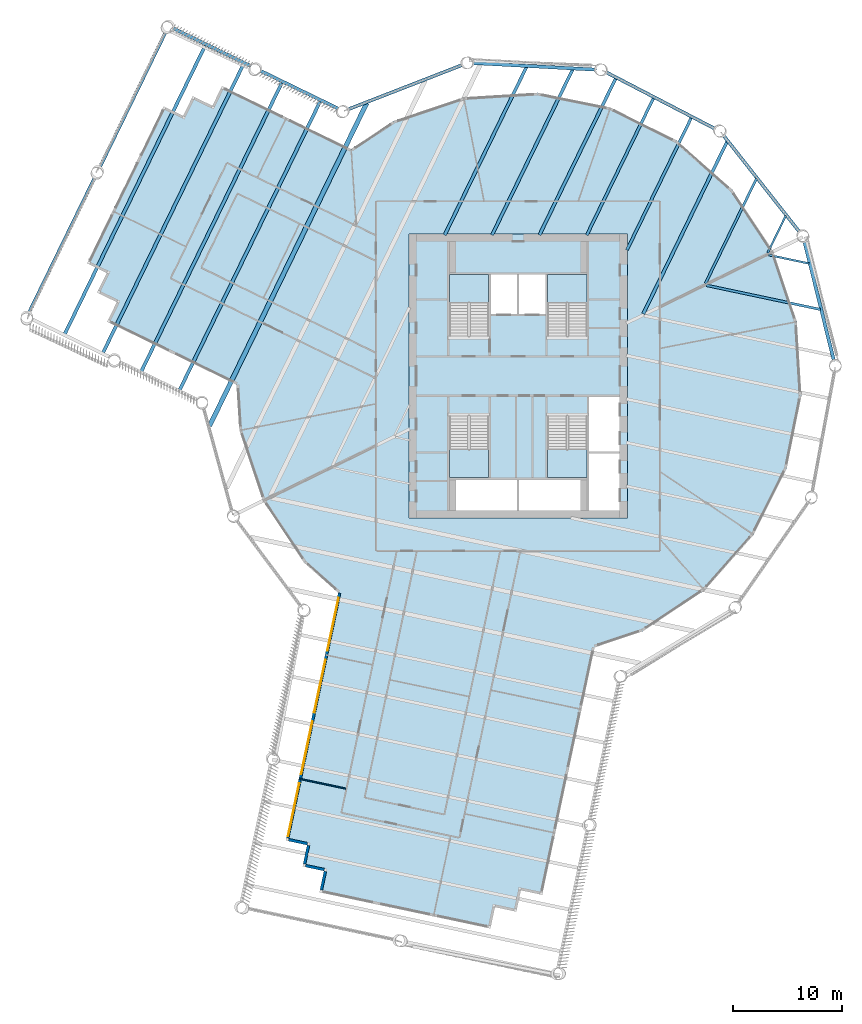
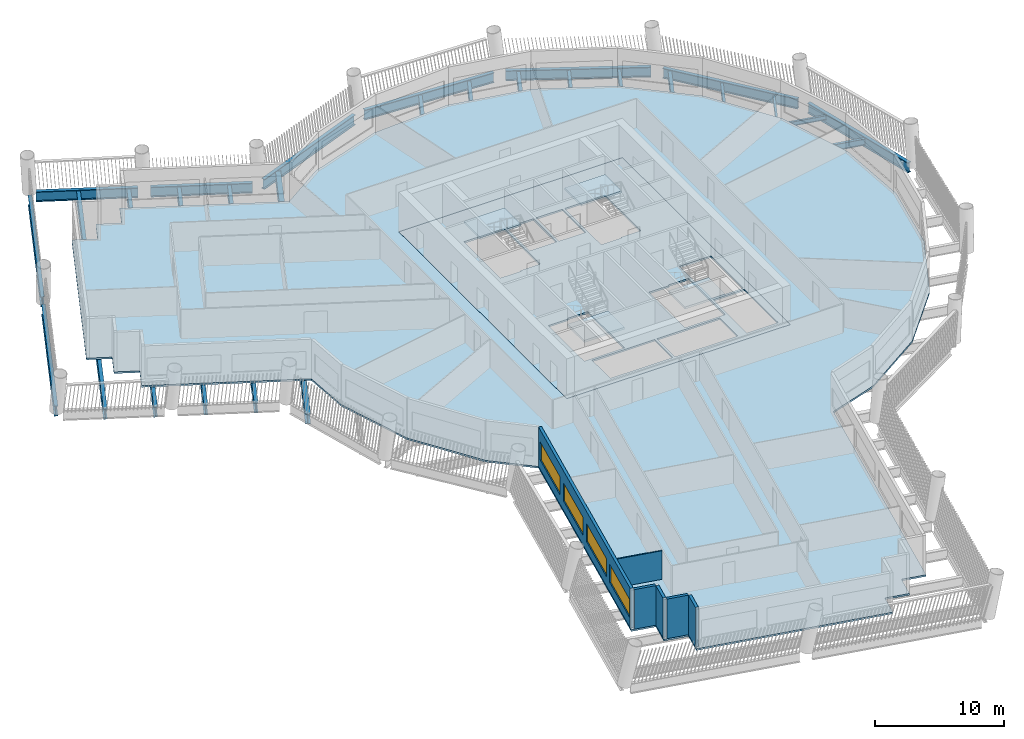
# One storey, part 2 of 15: 24 beams, 6 slabs, 6 walls, 4 windows, 4 openings, 4 elements without a shape of their own.
"""IFC4 building model written with IfcOpenShell, lengths in metres."""

import ifcopenshell
import ifcopenshell.guid

model = None  # the IFC model being written
_history = None  # IfcOwnerHistory: only IFC2X3 demands one
_inside = {}  # id of a spatial element -> (the spatial element, [elements in it])
_under = {}  # id of a project, library or spatial element -> (it, [spatial elements below it])
_declared = {}  # id of a project -> (the project, [libraries it declares])
_typed = {}  # id of a type object -> (the type object, [elements of that type])
_made_of = {}  # id of a material, layer set ... -> (it, [elements and type objects made of it])


def new_model(schema):
    """Start an empty IFC model of exactly this schema.

    Asked for "IFC4X3", IfcOpenShell would pick the latest addendum, in which some entities
    have other attributes; the version numbers below select the first issue.
    IFC2X3 requires an IfcOwnerHistory on every rooted entity: one is made here for all.
    """
    global model, _history
    if schema == "IFC4X3":
        model = ifcopenshell.file(schema_version=(4, 3, 0, 0))
    else:
        model = ifcopenshell.file(schema=schema)
    _inside.clear()
    _under.clear()
    _declared.clear()
    _typed.clear()
    _made_of.clear()
    _history = None
    if model.schema == "IFC2X3":
        org = make("IfcOrganization", Name="unknown")
        user = make(
            "IfcPersonAndOrganization",
            ThePerson=make("IfcPerson", FamilyName="unknown"),
            TheOrganization=org,
        )
        app = make(
            "IfcApplication",
            ApplicationDeveloper=org,
            Version="unknown",
            ApplicationFullName="unknown",
            ApplicationIdentifier="unknown",
        )
        _history = make(
            "IfcOwnerHistory",
            OwningUser=user,
            OwningApplication=app,
            ChangeAction="ADDED",
            CreationDate=0,
        )
    return model


def make(cls, **values):
    """One entity of the class cls with the attributes given. An attribute that is None is left unset."""
    return model.create_entity(
        cls, **{name: value for name, value in values.items() if value is not None}
    )


def rooted(cls, **values):
    """An entity with a GlobalId (a new one), such as an element, a storey or a relation."""
    return make(cls, GlobalId=ifcopenshell.guid.new(), OwnerHistory=_history, **values)


def si_unit(unit_type, name, prefix=None):
    """IfcSIUnit, for example si_unit("LENGTHUNIT", "METRE", prefix="MILLI")."""
    return make("IfcSIUnit", UnitType=unit_type, Prefix=prefix, Name=name)


def assignment(units):
    """IfcUnitAssignment: the units of a project."""
    return None if units is None else make("IfcUnitAssignment", Units=units)


def point(xyz):
    """IfcCartesianPoint."""
    return None if xyz is None else make("IfcCartesianPoint", Coordinates=xyz)


def direction(xyz):
    """IfcDirection."""
    return None if xyz is None else make("IfcDirection", DirectionRatios=xyz)


def frame(location, z_axis=None, x_axis=None):
    """IfcAxis2Placement3D, a coordinate frame: its origin and axes. An axis left out is left unset."""
    return make(
        "IfcAxis2Placement3D",
        Location=point(location),
        Axis=direction(z_axis),
        RefDirection=direction(x_axis),
    )


def frame_2d(location, x_axis=None):
    """IfcAxis2Placement2D, a coordinate frame in the plane: its origin and x axis."""
    return make(
        "IfcAxis2Placement2D", Location=point(location), RefDirection=direction(x_axis)
    )


def origin():
    """The frame at (0, 0, 0) with its axes left unset."""
    return frame((0.0, 0.0, 0.0))


def origin_2d():
    """The frame at (0, 0) in the plane with its x axis left unset."""
    return frame_2d((0.0, 0.0))


def place(relative_to, where):
    """IfcLocalPlacement: puts the frame where relative to a parent placement (None: the world)."""
    return make(
        "IfcLocalPlacement", PlacementRelTo=relative_to, RelativePlacement=where
    )


def context(
    kind, dimensions, precision=None, world=None, true_north=None, identifier=None
):
    """IfcGeometricRepresentationContext, for example the 3D "Model" context."""
    return make(
        "IfcGeometricRepresentationContext",
        ContextIdentifier=identifier,
        ContextType=kind,
        CoordinateSpaceDimension=dimensions,
        Precision=precision,
        WorldCoordinateSystem=world,
        TrueNorth=true_north,
    )


def subcontext(parent, identifier, kind, view, scale=None):
    """IfcGeometricRepresentationSubContext, for example "Body" below "Model"."""
    return make(
        "IfcGeometricRepresentationSubContext",
        ContextIdentifier=identifier,
        ContextType=kind,
        ParentContext=parent,
        TargetScale=scale,
        TargetView=view,
    )


def project(units=None, contexts=None):
    """IfcProject with its units and contexts."""
    return rooted(
        "IfcProject",
        Name="project",
        RepresentationContexts=contexts,
        UnitsInContext=assignment(units),
    )


def spatial(cls, under=None, at=None, **own):
    """A site, building, storey or space (cls), placed at a placement, below another one or the project."""
    s = rooted(cls, ObjectPlacement=at, **own)
    if under is not None:
        _under.setdefault(under.id(), (under, []))[1].append(s)
    return s


def polyline(points):
    """IfcPolyline through the points."""
    return make("IfcPolyline", Points=[point(p) for p in points])


def profile(cls, at=None, kind="AREA", **sizes):
    """A parametric profile (cls). Its sizes go by their IFC names, for example OverallWidth=200.0."""
    return make(cls, ProfileType=kind, Position=at, **sizes)


def rectangle(**sizes):
    """IfcRectangleProfileDef."""
    return profile("IfcRectangleProfileDef", **sizes)


def i_section(**sizes):
    """IfcIShapeProfileDef."""
    return profile("IfcIShapeProfileDef", **sizes)


def outline(outer, holes=None, kind="AREA"):
    """IfcArbitraryClosedProfileDef: a profile drawn as a closed curve; with holes, ...WithVoids."""
    if holes is None:
        return make("IfcArbitraryClosedProfileDef", ProfileType=kind, OuterCurve=outer)
    return make(
        "IfcArbitraryProfileDefWithVoids",
        ProfileType=kind,
        OuterCurve=outer,
        InnerCurves=holes,
    )


def extrude(swept, where, along, depth):
    """IfcExtrudedAreaSolid: the profile swept, set in the frame where, extruded along a direction by depth."""
    return make(
        "IfcExtrudedAreaSolid",
        SweptArea=swept,
        Position=where,
        ExtrudedDirection=direction(along),
        Depth=depth,
    )


def shape(context_of_items, identifier, shape_type, items):
    """IfcShapeRepresentation: the items that make up one representation, for example the "Body"."""
    return make(
        "IfcShapeRepresentation",
        ContextOfItems=context_of_items,
        RepresentationIdentifier=identifier,
        RepresentationType=shape_type,
        Items=items,
    )


def material(Name=None, Category=None):
    """IfcMaterial."""
    return make("IfcMaterial", Name=Name, Category=Category)


def layer(
    of_material, thickness, ventilated=None, Name=None, Category=None, Priority=None
):
    """IfcMaterialLayer: one layer of a wall or slab, of a material (None: an air gap)."""
    return make(
        "IfcMaterialLayer",
        Material=of_material,
        LayerThickness=thickness,
        IsVentilated=ventilated,
        Name=Name,
        Category=Category,
        Priority=Priority,
    )


def layer_set(layers, Name=None):
    """IfcMaterialLayerSet."""
    return make("IfcMaterialLayerSet", MaterialLayers=layers, LayerSetName=Name)


def material_profile(
    of_material, cross_section, Name=None, Category=None, Priority=None
):
    """IfcMaterialProfile: a cross section and its material."""
    return make(
        "IfcMaterialProfile",
        Name=Name,
        Material=of_material,
        Profile=cross_section,
        Priority=Priority,
        Category=Category,
    )


def profile_set(profiles, Name=None, composite=None):
    """IfcMaterialProfileSet."""
    return make(
        "IfcMaterialProfileSet",
        Name=Name,
        MaterialProfiles=profiles,
        CompositeProfile=composite,
    )


def made_of(thing, what):
    """Note that an element or type object is made of a material, layer set ...; save() writes the relation."""
    if what is not None:
        _made_of.setdefault(what.id(), (what, []))[1].append(thing)
    return thing


def type_object(cls, material=None, **own):
    """A type object (cls), such as IfcWallType, which elements share."""
    return made_of(rooted(cls, **own), material)


def element(
    cls,
    number,
    at=None,
    inside=None,
    cuts=None,
    type_object=None,
    material=None,
    context=None,
    identifier="Body",
    shape_type=None,
    held_by="IfcProductDefinitionShape",
    body=None,
    shapes=None,
    **own,
):
    """One element of the class cls, such as IfcWall. Its Tag is "e" and its number.

    at: its placement. inside: the storey or other place that contains it. cuts: it is an
    opening in that element (IfcRelVoidsElement). A single representation is given by context,
    identifier, shape_type and body (its items); several are given by shapes. held_by: the class
    of the entity that holds the representations. save() writes the other relations.
    """
    e = rooted(cls, Tag="e%d" % number, ObjectPlacement=at, **own)
    if body is not None:
        shapes = [shape(context, identifier, shape_type, body)]
    if shapes is not None:
        e.Representation = make(held_by, Representations=shapes)
    if inside is not None:
        _inside.setdefault(inside.id(), (inside, []))[1].append(e)
    if cuts is not None:
        rooted(
            "IfcRelVoidsElement", RelatingBuildingElement=cuts, RelatedOpeningElement=e
        )
    if type_object is not None:
        _typed.setdefault(type_object.id(), (type_object, []))[1].append(e)
    return made_of(e, material)


def fill(opening, filler):
    """IfcRelFillsElement: the door or window that sits in an opening."""
    return rooted(
        "IfcRelFillsElement",
        RelatingOpeningElement=opening,
        RelatedBuildingElement=filler,
    )


def aggregate(whole, parts):
    """IfcRelAggregates: a whole, such as a stair, and the parts it consists of."""
    return rooted("IfcRelAggregates", RelatingObject=whole, RelatedObjects=parts)


def save(model, path):
    """Write the relations noted so far, then the file.

    IfcRelAggregates (storeys below a building ...), IfcRelContainedInSpatialStructure (elements
    in a storey), IfcRelDefinesByType, IfcRelAssociatesMaterial and IfcRelDeclares: one each for
    every whole, place, type object, material and project.
    """
    for whole, parts in _under.values():
        aggregate(whole, parts)
    for where, things in _inside.values():
        rooted(
            "IfcRelContainedInSpatialStructure",
            RelatedElements=things,
            RelatingStructure=where,
        )
    for kind, things in _typed.values():
        rooted("IfcRelDefinesByType", RelatedObjects=things, RelatingType=kind)
    for what, things in _made_of.values():
        rooted("IfcRelAssociatesMaterial", RelatedObjects=things, RelatingMaterial=what)
    for by, libraries in _declared.values():
        rooted("IfcRelDeclares", RelatingContext=by, RelatedDefinitions=libraries)
    model.write(path)


model = new_model("IFC4")

# Units and contexts
model_context = context("Model", 3, precision=1e-05, world=origin(), true_north=direction((0.0, 1.0)))
body_context = subcontext(model_context, "Body", "Model", "MODEL_VIEW")
ifc_project = project(units=[si_unit("LENGTHUNIT", "METRE"), si_unit("AREAUNIT", "SQUARE_METRE"), si_unit("VOLUMEUNIT", "CUBIC_METRE"), si_unit("PLANEANGLEUNIT", "RADIAN"), si_unit("MASSUNIT", "GRAM", prefix="KILO")], contexts=[model_context])

# Site, building, storey
site_placement = place(None, origin())
site = spatial("IfcSite", under=ifc_project, at=site_placement, CompositionType="ELEMENT")
building_placement = place(site_placement, origin())
building = spatial("IfcBuilding", under=site, at=building_placement, Name="Tarsis Ring Headquarters", CompositionType="ELEMENT")
storey_placement = place(building_placement, frame((0.0, 0.0, 174.89990234375)))
storey = spatial("IfcBuildingStorey", under=building, at=storey_placement, Name="L40", CompositionType="ELEMENT", Elevation=174.89990234375)

# Beams
ifc_material_1 = material(Name="Structural steel S355", Category="steel")
ifc_material_profile_1 = material_profile(ifc_material_1, i_section(OverallWidth=0.177734375, OverallDepth=0.406494140625, WebThickness=0.0078125, FlangeThickness=0.0126953125, at=origin_2d()), Name="W16x40")
ifc_profile_set_1 = profile_set([ifc_material_profile_1], Name="Structural steel S355")
beam_type_1 = type_object("IfcBeamType", Name="FB Floor beam W16x40", PredefinedType="JOIST", material=ifc_profile_set_1)
for number, where, z_axis, x_axis, name in (
    (1, (22.914794921875, 11.09228515625, -0.363037109375), (0.978291706178, -0.207232568924, 0.0), (0.207232568924, 0.978291706178, 0.0), "Floor beam FB1"),
    (2, (24.49853515625, 14.68115234375, -0.363037109375), (-0.43776997499, -0.89908700858, 0.0), (0.89908700858, -0.43776997499, 0.0), "Floor beam FB1"),
):
    element("IfcBeam", number, at=place(storey_placement, frame(where, z_axis=z_axis, x_axis=x_axis)), inside=storey, type_object=beam_type_1, Name=name, PredefinedType="JOIST", context=body_context, shape_type="SweptSolid", body=[
        extrude(i_section(OverallWidth=0.177734375, OverallDepth=0.406494140625, WebThickness=0.0078125, FlangeThickness=0.0126953125, at=origin_2d()), origin(), (0.0, 0.0, 1.0), 3.80517578125),
    ])
ifc_material_profile_2 = material_profile(ifc_material_1, i_section(OverallWidth=0.228271484375, OverallDepth=0.607177734375, WebThickness=0.01123046875, FlangeThickness=0.017333984375, at=origin_2d()), Name="W24x76")
ifc_profile_set_2 = profile_set([ifc_material_profile_2], Name="Structural steel S355")
beam_type_2 = type_object("IfcBeamType", Name="FB Floor beam W24x76", PredefinedType="JOIST", material=ifc_profile_set_2)
for number, where, z_axis, x_axis, name in (
    (3, (17.22314453125, 8.311279296875, -0.46337890625), (0.978294239185, -0.207220610888, 0.0), (0.207220610888, 0.978294239185, 0.0), "Floor beam FB4"),
    (4, (21.818359375, 18.085693359375, -0.46337890625), (-0.437747339261, -0.899098029678, 0.0), (0.899098029678, -0.437747339261, 0.0), "Floor beam FB4"),
):
    element("IfcBeam", number, at=place(storey_placement, frame(where, z_axis=z_axis, x_axis=x_axis)), inside=storey, type_object=beam_type_2, Name=name, PredefinedType="JOIST", context=body_context, shape_type="SweptSolid", body=[
        extrude(i_section(OverallWidth=0.228271484375, OverallDepth=0.607177734375, WebThickness=0.01123046875, FlangeThickness=0.017333984375, at=origin_2d()), origin(), (0.0, 0.0, 1.0), 10.684814453125),
    ])
ifc_material_profile_3 = material_profile(ifc_material_1, i_section(OverallWidth=0.2666015625, OverallDepth=0.7568359375, WebThickness=0.013916015625, FlangeThickness=0.019287109375, at=origin_2d()), Name="W30x108")
ifc_profile_set_3 = profile_set([ifc_material_profile_3], Name="Structural steel S355")
beam_type_3 = type_object("IfcBeamType", Name="FB Floor beam W30x108", PredefinedType="JOIST", material=ifc_profile_set_3)
beam_1_placement = place(storey_placement, frame((15.872314453125, 23.69140625, -0.538330078125), z_axis=(-0.437744425984, -0.89909944807, 0.0), x_axis=(0.89909944807, -0.437744425984, 0.0)))
element("IfcBeam", 5, at=beam_1_placement, inside=storey, type_object=beam_type_3, Name="Floor beam FB6", PredefinedType="JOIST", context=body_context, shape_type="SweptSolid", body=[
    extrude(i_section(OverallWidth=0.2666015625, OverallDepth=0.7568359375, WebThickness=0.013916015625, FlangeThickness=0.019287109375, at=origin_2d()), origin(), (0.0, 0.0, 1.0), 13.514892578125),
])
beam_2_placement = place(storey_placement, frame((12.41015625, 25.489501953125, -0.538330078125), z_axis=(-0.437758958684, -0.899092372391, 0.0), x_axis=(0.899092372391, -0.437758958684, 0.0)))
element("IfcBeam", 6, at=beam_2_placement, inside=storey, type_object=beam_type_3, Name="Floor beam FB6", PredefinedType="JOIST", context=body_context, shape_type="SweptSolid", body=[
    extrude(i_section(OverallWidth=0.2666015625, OverallDepth=0.7568359375, WebThickness=0.013916015625, FlangeThickness=0.019287109375, at=origin_2d()), origin(), (0.0, 0.0, 1.0), 13.9912109375),
])
ifc_material_profile_4 = material_profile(ifc_material_1, i_section(OverallWidth=0.2919921875, OverallDepth=0.835693359375, WebThickness=0.013916015625, FlangeThickness=0.018798828125, at=origin_2d()), Name="W33x118")
ifc_profile_set_4 = profile_set([ifc_material_profile_4], Name="Structural steel S355")
beam_type_4 = type_object("IfcBeamType", Name="FB Floor beam W33x118", PredefinedType="JOIST", material=ifc_profile_set_4)
beam_3_placement = place(storey_placement, frame((19.13818359375, 21.490234375, -0.57763671875), z_axis=(-0.437736669671, -0.899103224344, 0.0), x_axis=(0.899103224344, -0.437736669671, 0.0)))
element("IfcBeam", 7, at=beam_3_placement, inside=storey, type_object=beam_type_4, Name="Floor beam FB7", PredefinedType="JOIST", context=body_context, shape_type="SweptSolid", body=[
    extrude(i_section(OverallWidth=0.2919921875, OverallDepth=0.835693359375, WebThickness=0.013916015625, FlangeThickness=0.018798828125, at=origin_2d()), origin(), (0.0, 0.0, 1.0), 17.564208984375),
])
beam_4_placement = place(storey_placement, frame((8.947998046875, 27.287841796875, -0.57763671875), z_axis=(-0.437753643181, -0.899094960436, 0.0), x_axis=(0.899094960436, -0.437753643181, 0.0)))
element("IfcBeam", 8, at=beam_4_placement, inside=storey, type_object=beam_type_4, Name="Floor beam FB7", PredefinedType="JOIST", context=body_context, shape_type="SweptSolid", body=[
    extrude(i_section(OverallWidth=0.2919921875, OverallDepth=0.835693359375, WebThickness=0.013916015625, FlangeThickness=0.018798828125, at=origin_2d()), origin(), (0.0, 0.0, 1.0), 15.9912109375),
])
beam_5_placement = place(storey_placement, frame((5.007080078125, 28.102783203125, -0.57763671875), z_axis=(-0.437751144494, -0.899096176999, 0.0), x_axis=(0.899096176999, -0.437751144494, 0.0)))
element("IfcBeam", 9, at=beam_5_placement, inside=storey, type_object=beam_type_4, Name="Floor beam FB7", PredefinedType="JOIST", context=body_context, shape_type="SweptSolid", body=[
    extrude(i_section(OverallWidth=0.2919921875, OverallDepth=0.835693359375, WebThickness=0.013916015625, FlangeThickness=0.018798828125, at=origin_2d()), origin(), (0.0, 0.0, 1.0), 16.897705078125),
])
beam_6_placement = place(storey_placement, frame((0.781005859375, 28.33203125, -0.57763671875), z_axis=(-0.437749079382, -0.899097182456, 0.0), x_axis=(0.899097182456, -0.437749079382, 0.0)))
element("IfcBeam", 10, at=beam_6_placement, inside=storey, type_object=beam_type_4, Name="Floor beam FB7", PredefinedType="JOIST", context=body_context, shape_type="SweptSolid", body=[
    extrude(i_section(OverallWidth=0.2919921875, OverallDepth=0.835693359375, WebThickness=0.013916015625, FlangeThickness=0.018798828125, at=origin_2d()), origin(), (0.0, 0.0, 1.0), 17.152587890625),
])
ifc_material_profile_5 = material_profile(ifc_material_1, i_section(OverallWidth=0.309814453125, OverallDepth=0.949951171875, WebThickness=0.0244140625, FlangeThickness=0.0439453125, at=origin_2d()), Name="W36x256")
ifc_profile_set_5 = profile_set([ifc_material_profile_5], Name="Structural steel S355")
beam_type_5 = type_object("IfcBeamType", Name="FB Floor beam W36x256", PredefinedType="JOIST", material=ifc_profile_set_5)
beam_7_placement = place(storey_placement, frame((-18.0908203125, 25.207763671875, -0.635009765625), z_axis=(-0.437744327557, -0.899099495991, 0.0), x_axis=(0.899099495991, -0.437744327557, 0.0)))
element("IfcBeam", 11, at=beam_7_placement, inside=storey, type_object=beam_type_5, Name="Floor beam FB11", PredefinedType="JOIST", context=body_context, shape_type="SweptSolid", body=[
    extrude(i_section(OverallWidth=0.309814453125, OverallDepth=0.949951171875, WebThickness=0.0244140625, FlangeThickness=0.0439453125, at=origin_2d()), origin(), (0.0, 0.0, 1.0), 29.490234375),
])
beam_8_placement = place(storey_placement, frame((-21.597412109375, 26.914794921875, -0.635009765625), z_axis=(-0.437740893478, -0.899101167932, 0.0), x_axis=(0.899101167932, -0.437740893478, 0.0)))
element("IfcBeam", 12, at=beam_8_placement, inside=storey, type_object=beam_type_5, Name="Floor beam FB11", PredefinedType="JOIST", context=body_context, shape_type="SweptSolid", body=[
    extrude(i_section(OverallWidth=0.309814453125, OverallDepth=0.949951171875, WebThickness=0.0244140625, FlangeThickness=0.0439453125, at=origin_2d()), origin(), (0.0, 0.0, 1.0), 29.489990234375),
])
for number, where, z_axis, x_axis, name in (
    (13, (-25.103759765625, 28.6220703125, -0.635009765625), (-0.437744327557, -0.899099495991, 0.0), (0.899099495991, -0.437744327557, 0.0), "Floor beam FB11"),
    (14, (-28.6103515625, 30.329345703125, -0.635009765625), (-0.437744327557, -0.899099495991, 0.0), (0.899099495991, -0.437744327557, 0.0), "Floor beam FB11"),
):
    element("IfcBeam", number, at=place(storey_placement, frame(where, z_axis=z_axis, x_axis=x_axis)), inside=storey, type_object=beam_type_5, Name=name, PredefinedType="JOIST", context=body_context, shape_type="SweptSolid", body=[
        extrude(i_section(OverallWidth=0.309814453125, OverallDepth=0.949951171875, WebThickness=0.0244140625, FlangeThickness=0.0439453125, at=origin_2d()), origin(), (0.0, 0.0, 1.0), 29.490234375),
    ])
ifc_material_profile_6 = material_profile(ifc_material_1, i_section(OverallWidth=0.42431640625, OverallDepth=0.947509765625, WebThickness=0.02392578125, FlangeThickness=0.042724609375, at=origin_2d()), Name="W36x302")
ifc_profile_set_6 = profile_set([ifc_material_profile_6], Name="Structural steel S355")
beam_type_6 = type_object("IfcBeamType", Name="FB Floor beam W36x302", PredefinedType="JOIST", material=ifc_profile_set_6)
beam_9_placement = place(storey_placement, frame((-13.8623046875, 24.98388671875, -0.633544921875), z_axis=(-0.437739495524, -0.899101848546, 0.0), x_axis=(0.899101848546, -0.437739495524, 0.0)))
element("IfcBeam", 15, at=beam_9_placement, inside=storey, type_object=beam_type_6, Name="Floor beam FB12", PredefinedType="JOIST", context=body_context, shape_type="SweptSolid", body=[
    extrude(i_section(OverallWidth=0.42431640625, OverallDepth=0.947509765625, WebThickness=0.02392578125, FlangeThickness=0.042724609375, at=origin_2d()), origin(), (0.0, 0.0, 1.0), 32.87548828125),
])
beam_type_7 = type_object("IfcBeamType", Name="XG Ring girder W36x256", PredefinedType="BEAM", material=ifc_profile_set_5)
for number, where, z_axis, x_axis, name in (
    (16, (28.915283203125, 1.348876953125, -0.474853515625), (-0.239714177813, 0.970843505904, 0.0), (-0.970843505904, -0.239714177813, 0.0), "Ring girder XG2"),
    (17, (25.78857421875, 13.1474609375, -0.474853515625), (-0.618555898121, 0.785740797528, 0.0), (-0.785740797528, -0.618555898121, 0.0), "Ring girder XG2"),
    (18, (18.07666015625, 22.6083984375, -0.474853515625), (-0.887442103043, 0.460919205226, 0.0), (-0.460919205226, -0.887442103043, 0.0), "Ring girder XG2"),
    (19, (7.150634765625, 28.049560546875, -0.474853515625), (-0.998533561546, 0.054136184436, 0.0), (-0.054136184436, -0.998533561546, 0.0), "Ring girder XG2"),
):
    element("IfcBeam", number, at=place(storey_placement, frame(where, z_axis=z_axis, x_axis=x_axis)), inside=storey, type_object=beam_type_7, Name=name, PredefinedType="BEAM", context=body_context, shape_type="SweptSolid", body=[
        extrude(i_section(OverallWidth=0.309814453125, OverallDepth=0.949951171875, WebThickness=0.0244140625, FlangeThickness=0.0439453125, at=origin_2d()), origin(), (0.0, 0.0, 1.0), 11.242919921875),
    ])
beam_10_placement = place(storey_placement, frame((-5.046630859375, 28.50341796875, -0.474853515625), z_axis=(-0.932075560752, -0.362263921816, 0.0), x_axis=(0.362263921816, -0.932075560752, 0.0)))
element("IfcBeam", 20, at=beam_10_placement, inside=storey, type_object=beam_type_7, Name="Ring girder XG2", PredefinedType="BEAM", context=body_context, shape_type="SweptSolid", body=[
    extrude(i_section(OverallWidth=0.309814453125, OverallDepth=0.949951171875, WebThickness=0.0244140625, FlangeThickness=0.0439453125, at=origin_2d()), origin(), (0.0, 0.0, 1.0), 11.2431640625),
])
beam_11_placement = place(storey_placement, frame((-16.447021484375, 24.468505859375, -0.474853515625), z_axis=(-0.899101585417, 0.437740035981, 0.0), x_axis=(-0.437740035981, -0.899101585417, 0.0)))
element("IfcBeam", 21, at=beam_11_placement, inside=storey, type_object=beam_type_7, Name="Ring girder XG2", PredefinedType="BEAM", context=body_context, shape_type="SweptSolid", body=[
    extrude(i_section(OverallWidth=0.309814453125, OverallDepth=0.949951171875, WebThickness=0.0244140625, FlangeThickness=0.0439453125, at=origin_2d()), origin(), (0.0, 0.0, 1.0), 7.896240234375),
])
beam_12_placement = place(storey_placement, frame((-24.450927734375, 28.365234375, -0.474853515625), z_axis=(-0.899095341452, 0.437752860618, 0.0), x_axis=(-0.437752860618, -0.899095341452, 0.0)))
element("IfcBeam", 22, at=beam_12_placement, inside=storey, type_object=beam_type_7, Name="Ring girder XG2", PredefinedType="BEAM", context=body_context, shape_type="SweptSolid", body=[
    extrude(i_section(OverallWidth=0.309814453125, OverallDepth=0.949951171875, WebThickness=0.0244140625, FlangeThickness=0.0439453125, at=origin_2d()), origin(), (0.0, 0.0, 1.0), 7.896728515625),
])
for number, where, z_axis, x_axis, name in (
    (23, (-32.222900390625, 31.58984375, -0.474853515625), (-0.437744582077, -0.899099372073, 0.0), (0.899099372073, -0.437744582077, 0.0), "Ring girder XG2"),
    (24, (-38.70166015625, 18.283203125, -0.474853515625), (-0.437744582077, -0.899099372073, 0.0), (0.899099372073, -0.437744582077, 0.0), "Ring girder XG2"),
):
    element("IfcBeam", number, at=place(storey_placement, frame(where, z_axis=z_axis, x_axis=x_axis)), inside=storey, type_object=beam_type_7, Name=name, PredefinedType="BEAM", context=body_context, shape_type="SweptSolid", body=[
        extrude(i_section(OverallWidth=0.309814453125, OverallDepth=0.949951171875, WebThickness=0.0244140625, FlangeThickness=0.0439453125, at=origin_2d()), origin(), (0.0, 0.0, 1.0), 13.794189453125),
    ])

# Slab
ifc_material_2 = material(Name="Concrete C40/50", Category="concrete")
ifc_layer_1 = layer(ifc_material_2, 0.159912109375)
ifc_layer_set_1 = layer_set([ifc_layer_1], Name="Core floor slab 160 C40/50")
slab_type_1 = type_object("IfcSlabType", Name="Core floor slab 160 C40/50", PredefinedType="FLOOR", material=ifc_layer_set_1)
slab_1_placement = place(storey_placement, frame((0.0, 0.0, -0.159912109375)))
element("IfcSlab", 25, at=slab_1_placement, inside=storey, type_object=slab_type_1, Name="L40 core floor slab", PredefinedType="FLOOR", context=body_context, shape_type="SweptSolid", body=[
    extrude(outline(polyline([(-10.0, -13.0), (10.0, -13.0), (10.0, 13.0), (-10.0, 13.0), (-10.0, -13.0)]), holes=[polyline([(-2.5, 5.699951171875), (-0.10009765625, 5.699951171875), (-0.10009765625, 9.300048828125), (-2.5, 9.300048828125), (-2.5, 5.699951171875)]), polyline([(0.10009765625, 5.699951171875), (2.5, 5.699951171875), (2.5, 9.300048828125), (0.10009765625, 9.300048828125), (0.10009765625, 5.699951171875)]), polyline([(6.5, -12.300048828125), (9.300048828125, -12.300048828125), (9.300048828125, -7.10009765625), (6.5, -7.10009765625), (6.5, -12.300048828125)]), polyline([(6.5, -6.89990234375), (9.300048828125, -6.89990234375), (9.300048828125, -1.89990234375), (6.5, -1.89990234375), (6.5, -6.89990234375)]), polyline([(-5.699951171875, -12.300048828125), (-0.10009765625, -12.300048828125), (-0.10009765625, -9.5), (-5.699951171875, -9.5), (-5.699951171875, -12.300048828125)]), polyline([(0.10009765625, -12.300048828125), (5.699951171875, -12.300048828125), (5.699951171875, -9.5), (0.10009765625, -9.5), (0.10009765625, -12.300048828125)]), polyline([(-2.699951171875, 3.760009765625), (-2.699951171875, 9.300048828125), (-6.300048828125, 9.300048828125), (-6.300048828125, 3.659912109375), (-4.4599609375, 3.659912109375), (-4.4599609375, 3.760009765625), (-2.699951171875, 3.760009765625)]), polyline([(6.300048828125, 3.760009765625), (6.300048828125, 9.300048828125), (2.699951171875, 9.300048828125), (2.699951171875, 3.659912109375), (4.5400390625, 3.659912109375), (4.5400390625, 3.760009765625), (6.300048828125, 3.760009765625)]), polyline([(-6.300048828125, -3.760009765625), (-6.300048828125, -9.300048828125), (-2.699951171875, -9.300048828125), (-2.699951171875, -3.659912109375), (-4.5400390625, -3.659912109375), (-4.5400390625, -3.760009765625), (-6.300048828125, -3.760009765625)]), polyline([(2.699951171875, -3.760009765625), (2.699951171875, -9.300048828125), (6.300048828125, -9.300048828125), (6.300048828125, -3.659912109375), (4.4599609375, -3.659912109375), (4.4599609375, -3.760009765625), (2.699951171875, -3.760009765625)])]), origin(), (0.0, 0.0, 1.0), 0.159912109375),
])

# Stair, slab
ifc_material_3 = material(Name="Core stair 1760")
stair_type = type_object("IfcStairType", Name="Core stair 1760", PredefinedType="HALF_TURN_STAIR", material=ifc_material_3)
stair_1_placement = place(storey_placement, origin())
stair_1 = element("IfcStair", 26, at=stair_1_placement, inside=storey, type_object=stair_type, Name="L40 Firefighting stair", PredefinedType="HALF_TURN_STAIR")
ifc_layer_2 = layer(ifc_material_2, 0.199951171875)
ifc_layer_set_2 = layer_set([ifc_layer_2], Name="Core stair landing 200")
slab_type_2 = type_object("IfcSlabType", Name="Core stair landing 200", PredefinedType="LANDING", material=ifc_layer_set_2)
slab_2_placement = place(storey_placement, frame((0.0, 0.0, 1.75)))
slab_2 = element("IfcSlab", 27, at=slab_2_placement, type_object=slab_type_2, Name="Stair ST1 landing 1", PredefinedType="LANDING", context=body_context, shape_type="SweptSolid", body=[
    extrude(outline(polyline([(-2.699951171875, 6.739990234375), (-2.699951171875, 9.300048828125), (-6.300048828125, 9.300048828125), (-6.300048828125, 6.739990234375), (-2.699951171875, 6.739990234375)])), origin(), (0.0, 0.0, 1.0), 0.2001953125),
])
aggregate(stair_1, [slab_2])

stair_2_placement = place(storey_placement, origin())
stair_2 = element("IfcStair", 28, at=stair_2_placement, inside=storey, type_object=stair_type, Name="L40 Exit stair B", PredefinedType="HALF_TURN_STAIR")
slab_3_placement = place(storey_placement, frame((0.0, 0.0, 1.75)))
slab_3 = element("IfcSlab", 29, at=slab_3_placement, type_object=slab_type_2, Name="Stair ST2 landing 1", PredefinedType="LANDING", context=body_context, shape_type="SweptSolid", body=[
    extrude(outline(polyline([(6.300048828125, 6.739990234375), (6.300048828125, 9.300048828125), (2.699951171875, 9.300048828125), (2.699951171875, 6.739990234375), (6.300048828125, 6.739990234375)])), origin(), (0.0, 0.0, 1.0), 0.2001953125),
])
aggregate(stair_2, [slab_3])

stair_3_placement = place(storey_placement, origin())
stair_3 = element("IfcStair", 30, at=stair_3_placement, inside=storey, type_object=stair_type, Name="L40 Exit stair C", PredefinedType="HALF_TURN_STAIR")
slab_4_placement = place(storey_placement, frame((0.0, 0.0, 1.75)))
slab_4 = element("IfcSlab", 31, at=slab_4_placement, type_object=slab_type_2, Name="Stair ST3 landing 1", PredefinedType="LANDING", context=body_context, shape_type="SweptSolid", body=[
    extrude(outline(polyline([(-6.300048828125, -6.739990234375), (-6.300048828125, -9.300048828125), (-2.699951171875, -9.300048828125), (-2.699951171875, -6.739990234375), (-6.300048828125, -6.739990234375)])), origin(), (0.0, 0.0, 1.0), 0.2001953125),
])
aggregate(stair_3, [slab_4])

stair_4_placement = place(storey_placement, origin())
stair_4 = element("IfcStair", 32, at=stair_4_placement, inside=storey, type_object=stair_type, Name="L40 Exit stair D", PredefinedType="HALF_TURN_STAIR")
slab_5_placement = place(storey_placement, frame((0.0, 0.0, 1.75)))
slab_5 = element("IfcSlab", 33, at=slab_5_placement, type_object=slab_type_2, Name="Stair ST4 landing 1", PredefinedType="LANDING", context=body_context, shape_type="SweptSolid", body=[
    extrude(outline(polyline([(2.699951171875, -6.739990234375), (2.699951171875, -9.300048828125), (6.300048828125, -9.300048828125), (6.300048828125, -6.739990234375), (2.699951171875, -6.739990234375)])), origin(), (0.0, 0.0, 1.0), 0.2001953125),
])
aggregate(stair_4, [slab_5])

# Slab
ifc_material_4 = material(Name="Concrete C35/45", Category="concrete")
ifc_layer_3 = layer(ifc_material_4, 0.159912109375)
ifc_layer_set_3 = layer_set([ifc_layer_3], Name="FS Composite floor slab 160")
slab_type_3 = type_object("IfcSlabType", Name="FS Composite floor slab 160", PredefinedType="FLOOR", material=ifc_layer_set_3)
slab_6_placement = place(storey_placement, frame((0.0, 0.0, -0.159912109375)))
element("IfcSlab", 34, at=slab_6_placement, inside=storey, type_object=slab_type_3, Name="Floor slab L40", PredefinedType="FLOOR", context=body_context, shape_type="SweptSolid", body=[
    extrude(outline(polyline([(-25.777587890625, -0.79638671875), (-25.518798828125, -4.978759765625), (-23.360595703125, -11.4140625), (-19.610595703125, -17.0712890625), (-16.47021484375, -19.845703125), (-21.27197265625, -42.5146484375), (-19.3154296875, -42.92919921875), (-19.72998046875, -44.8857421875), (-17.7734375, -45.30029296875), (-18.187744140625, -47.2568359375), (-2.53515625, -50.572509765625), (-2.12060546875, -48.615966796875), (-0.1640625, -49.0302734375), (0.25048828125, -47.07373046875), (2.20703125, -47.48828125), (7.004638671875, -24.83935546875), (11.4140625, -23.360595703125), (17.0712890625, -19.610595703125), (21.565185546875, -14.52392578125), (24.58935546875, -8.447509765625), (25.93798828125, -1.795654296875), (25.518798828125, 4.978759765625), (23.360595703125, 11.4140625), (19.610595703125, 17.0712890625), (14.52392578125, 21.565185546875), (8.447509765625, 24.58935546875), (1.795654296875, 25.93798828125), (-4.978759765625, 25.518798828125), (-11.4140625, 23.360595703125), (-15.290283203125, 20.791015625), (-27.11474609375, 26.5478515625), (-27.990234375, 24.749755859375), (-29.788330078125, 25.625244140625), (-30.663818359375, 23.8271484375), (-32.462158203125, 24.70263671875), (-39.466064453125, 10.31689453125), (-37.667724609375, 9.44140625), (-38.543212890625, 7.643310546875), (-36.7451171875, 6.767822265625), (-37.62060546875, 4.969482421875), (-25.777587890625, -0.79638671875)]), holes=[polyline([(-10.0, -13.0), (-10.0, 13.0), (10.0, 13.0), (10.0, -13.0), (-10.0, -13.0)])]), origin(), (0.0, 0.0, 1.0), 0.159912109375),
])

# Wall
ifc_material_5 = material(Name="Gypsum board on steel studs", Category="steel")
ifc_layer_4 = layer(ifc_material_5, 0.10009765625)
ifc_layer_set_4 = layer_set([ifc_layer_4], Name="FL partition 100 unrated")
wall_type_1 = type_object("IfcWallType", Name="FL partition 100 unrated", PredefinedType="PARTITIONING", material=ifc_layer_set_4)
wall_1_placement = place(storey_placement, frame((-20.023193359375, -36.86083984375, 0.0), z_axis=(0.0, 0.0, 1.0), x_axis=(0.978294779814, -0.207218058549, 0.0)))
element("IfcWall", 35, at=wall_1_placement, inside=storey, type_object=wall_type_1, Name="Partition PW3", PredefinedType="PARTITIONING", context=body_context, shape_type="SweptSolid", body=[
    extrude(rectangle(XDim=4.329833984375, YDim=0.10009765625, at=frame_2d((2.1650390625, 0.0))), origin(), (0.0, 0.0, 1.0), 2.7001953125),
])

# Wall, openings, windows
ifc_material_6 = material(Name="Terracotta clad insulated panel wall", Category="masonry")
ifc_layer_5 = layer(ifc_material_6, 0.25)
ifc_layer_set_5 = layer_set([ifc_layer_5], Name="Facade wall terracotta panel 250")
wall_type_2 = type_object("IfcWallType", Name="Facade wall terracotta panel 250", PredefinedType="STANDARD", material=ifc_layer_set_5)
wall_2_placement = place(storey_placement, frame((-16.347900390625, -19.87158203125, 0.0), z_axis=(0.0, 0.0, 1.0), x_axis=(-0.207223449075, -0.978293638001, 0.0)))
wall_2 = element("IfcWall", 36, at=wall_2_placement, inside=storey, type_object=wall_type_2, Name="External wall L40-06", PredefinedType="STANDARD", context=body_context, shape_type="SweptSolid", body=[
    extrude(rectangle(XDim=22.922119140625, YDim=0.25, at=frame_2d((11.4609375, 0.0))), origin(), (0.0, 0.0, 1.0), 3.739990234375),
])
opening_1_placement = place(wall_2_placement, frame((0.42138671875, 0.0, 0.89990234375)))
opening_1 = element("IfcOpeningElement", 37, at=opening_1_placement, cuts=wall_2, Name="Opening WN05", PredefinedType="OPENING", context=body_context, shape_type="SweptSolid", body=[
    extrude(rectangle(XDim=4.949951171875, YDim=1.699951171875, at=frame_2d((2.47509765625, 0.85009765625))), frame((0.0, 0.135009765625, 0.0), z_axis=(0.0, -1.0, 0.0), x_axis=(1.0, 0.0, 0.0)), (0.0, 0.0, 1.0), 0.27001953125),
])
opening_2_placement = place(wall_2_placement, frame((6.214599609375, 0.0, 0.89990234375)))
opening_2 = element("IfcOpeningElement", 38, at=opening_2_placement, cuts=wall_2, Name="Opening WN05", PredefinedType="OPENING", context=body_context, shape_type="SweptSolid", body=[
    extrude(rectangle(XDim=4.949951171875, YDim=1.699951171875, at=frame_2d((2.47509765625, 0.85009765625))), frame((0.0, 0.135009765625, 0.0), z_axis=(0.0, -1.0, 0.0), x_axis=(1.0, 0.0, 0.0)), (0.0, 0.0, 1.0), 0.27001953125),
])
opening_3_placement = place(wall_2_placement, frame((12.007568359375, 0.0, 0.89990234375)))
opening_3 = element("IfcOpeningElement", 39, at=opening_3_placement, cuts=wall_2, Name="Opening WN05", PredefinedType="OPENING", context=body_context, shape_type="SweptSolid", body=[
    extrude(rectangle(XDim=4.949951171875, YDim=1.699951171875, at=frame_2d((2.47509765625, 0.85009765625))), frame((0.0, 0.135009765625, 0.0), z_axis=(0.0, -1.0, 0.0), x_axis=(1.0, 0.0, 0.0)), (0.0, 0.0, 1.0), 0.27001953125),
])
opening_4_placement = place(wall_2_placement, frame((17.800537109375, 0.0, 0.89990234375)))
opening_4 = element("IfcOpeningElement", 40, at=opening_4_placement, cuts=wall_2, Name="Opening WN05", PredefinedType="OPENING", context=body_context, shape_type="SweptSolid", body=[
    extrude(rectangle(XDim=4.949951171875, YDim=1.699951171875, at=frame_2d((2.47509765625, 0.85009765625))), frame((0.0, 0.135009765625, 0.0), z_axis=(0.0, -1.0, 0.0), x_axis=(1.0, 0.0, 0.0)), (0.0, 0.0, 1.0), 0.27001953125),
])
ifc_material_7 = material(Name="Aluminium framed double glazing", Category="aluminium")
window_type = type_object("IfcWindowType", Name="Facade window 4950 x 1700", PartitioningType="SINGLE_PANEL", PredefinedType="WINDOW", material=ifc_material_7)
window_1_placement = place(opening_1_placement, origin())
window_1 = element("IfcWindow", 41, at=window_1_placement, inside=storey, type_object=window_type, Name="Window L40-06.1", OverallHeight=1.699951171875, OverallWidth=4.949951171875, PartitioningType="SINGLE_PANEL", PredefinedType="WINDOW", context=body_context, shape_type="SweptSolid", body=[
    extrude(rectangle(XDim=4.949951171875, YDim=1.699951171875, at=frame_2d((2.47509765625, 0.85009765625))), frame((0.0, 0.030029296875, 0.0), z_axis=(0.0, -1.0, 0.0), x_axis=(1.0, 0.0, 0.0)), (0.0, 0.0, 1.0), 0.06005859375),
])
fill(opening_1, window_1)
window_2_placement = place(opening_2_placement, origin())
window_2 = element("IfcWindow", 42, at=window_2_placement, inside=storey, type_object=window_type, Name="Window L40-06.2", OverallHeight=1.699951171875, OverallWidth=4.949951171875, PartitioningType="SINGLE_PANEL", PredefinedType="WINDOW", context=body_context, shape_type="SweptSolid", body=[
    extrude(rectangle(XDim=4.949951171875, YDim=1.699951171875, at=frame_2d((2.47509765625, 0.85009765625))), frame((0.0, 0.030029296875, 0.0), z_axis=(0.0, -1.0, 0.0), x_axis=(1.0, 0.0, 0.0)), (0.0, 0.0, 1.0), 0.06005859375),
])
fill(opening_2, window_2)
window_3_placement = place(opening_3_placement, origin())
window_3 = element("IfcWindow", 43, at=window_3_placement, inside=storey, type_object=window_type, Name="Window L40-06.3", OverallHeight=1.699951171875, OverallWidth=4.949951171875, PartitioningType="SINGLE_PANEL", PredefinedType="WINDOW", context=body_context, shape_type="SweptSolid", body=[
    extrude(rectangle(XDim=4.949951171875, YDim=1.699951171875, at=frame_2d((2.47509765625, 0.85009765625))), frame((0.0, 0.030029296875, 0.0), z_axis=(0.0, -1.0, 0.0), x_axis=(1.0, 0.0, 0.0)), (0.0, 0.0, 1.0), 0.06005859375),
])
fill(opening_3, window_3)
window_4_placement = place(opening_4_placement, origin())
window_4 = element("IfcWindow", 44, at=window_4_placement, inside=storey, type_object=window_type, Name="Window L40-06.4", OverallHeight=1.699951171875, OverallWidth=4.949951171875, PartitioningType="SINGLE_PANEL", PredefinedType="WINDOW", context=body_context, shape_type="SweptSolid", body=[
    extrude(rectangle(XDim=4.949951171875, YDim=1.699951171875, at=frame_2d((2.47509765625, 0.85009765625))), frame((0.0, 0.030029296875, 0.0), z_axis=(0.0, -1.0, 0.0), x_axis=(1.0, 0.0, 0.0)), (0.0, 0.0, 1.0), 0.06005859375),
])
fill(opening_4, window_4)

# Walls
for number, where, z_axis, x_axis, name in (
    (45, (-21.00146484375, -42.4443359375, 0.0), (0.0, 0.0, 1.0), (0.978301870414, -0.207184580372, 0.0), "External wall L40-07"),
    (46, (-19.193115234375, -42.955078125, 0.0), (0.0, 0.0, 1.0), (-0.207318103934, -0.978273583299, 0.0), "External wall L40-08"),
):
    element("IfcWall", number, at=place(storey_placement, frame(where, z_axis=z_axis, x_axis=x_axis)), inside=storey, type_object=wall_type_2, Name=name, PredefinedType="STANDARD", context=body_context, shape_type="SweptSolid", body=[
        extrude(rectangle(XDim=1.75, YDim=0.25, at=frame_2d((0.875, 0.0))), origin(), (0.0, 0.0, 1.0), 3.739990234375),
    ])
wall_3_placement = place(storey_placement, frame((-19.45947265625, -44.815185546875, 0.0), z_axis=(0.0, 0.0, 1.0), x_axis=(0.978279578503, -0.207289812299, 0.0)))
element("IfcWall", 47, at=wall_3_placement, inside=storey, type_object=wall_type_2, Name="External wall L40-09", PredefinedType="STANDARD", context=body_context, shape_type="SweptSolid", body=[
    extrude(rectangle(XDim=1.750244140625, YDim=0.25, at=frame_2d((0.875, 0.0))), origin(), (0.0, 0.0, 1.0), 3.739990234375),
])
wall_4_placement = place(storey_placement, frame((-17.651123046875, -45.326171875, 0.0), z_axis=(0.0, 0.0, 1.0), x_axis=(-0.207184580372, -0.978301870414, 0.0)))
element("IfcWall", 48, at=wall_4_placement, inside=storey, type_object=wall_type_2, Name="External wall L40-10", PredefinedType="STANDARD", context=body_context, shape_type="SweptSolid", body=[
    extrude(rectangle(XDim=1.75, YDim=0.25, at=frame_2d((0.875, 0.0))), origin(), (0.0, 0.0, 1.0), 3.739990234375),
])

save(model, "model.ifc")
